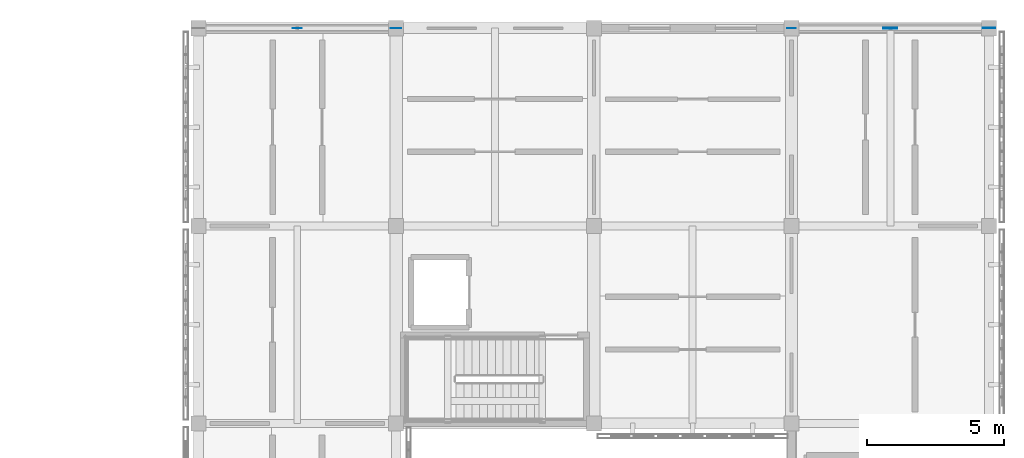
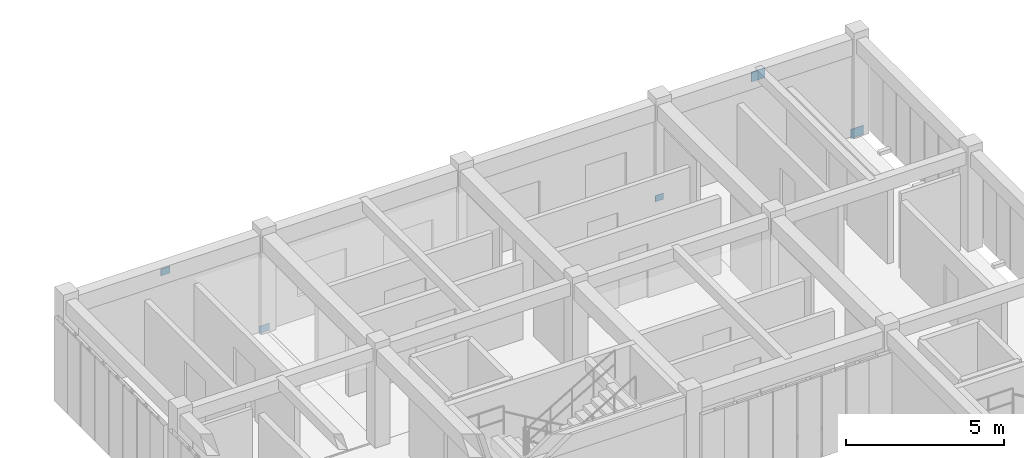
# One storey, part 51 of 67: 5 plates.
"""IFC4 building model written with IfcOpenShell, lengths in metres."""

from ifc_helpers import new_model, si_unit, direction, frame, origin, origin_2d, place, context, subcontext, project, spatial, rectangle, extrude, material, layer, layer_set, type_object, element, save


model = new_model("IFC4")

# Units and contexts
model_context = context("Model", 3, precision=1e-05, world=origin(), true_north=direction((0.0, 1.0)))
body_context = subcontext(model_context, "Body", "Model", "MODEL_VIEW")
ifc_project = project(units=[si_unit("LENGTHUNIT", "METRE"), si_unit("AREAUNIT", "SQUARE_METRE"), si_unit("VOLUMEUNIT", "CUBIC_METRE"), si_unit("PLANEANGLEUNIT", "RADIAN"), si_unit("MASSUNIT", "GRAM", prefix="KILO")], contexts=[model_context])

# Site, building, storey
site_placement = place(None, origin())
site = spatial("IfcSite", under=ifc_project, at=site_placement, CompositionType="ELEMENT")
building_placement = place(site_placement, origin())
building = spatial("IfcBuilding", under=site, at=building_placement, Name="Aldebral Square Health Centre", CompositionType="ELEMENT")
storey_placement = place(building_placement, frame((0.0, 0.0, 13.5)))
storey = spatial("IfcBuildingStorey", under=building, at=storey_placement, Name="L03", CompositionType="ELEMENT", Elevation=13.5)

# Plates
ifc_material = material(Name="Steel S355JR", Category="steel")
ifc_layer_1 = layer(ifc_material, 0.01611328125, Name="Steel S355JR", Category="steel")
ifc_layer_set_1 = layer_set([ifc_layer_1], Name="Steel S355JR")
plate_type_1 = type_object("IfcPlateType", Name="PL-GUS-2", PredefinedType="USERDEFINED", material=ifc_layer_set_1)
plate_1_placement = place(storey_placement, frame((144.0, 115.199951171875, -0.14013671875), z_axis=(0.0, 0.0, 1.0), x_axis=(1.0, 0.0, 0.0)))
element("IfcPlate", 1, at=plate_1_placement, inside=storey, type_object=plate_type_1, Name="L03 north chevron brace 20 east base gusset plate", ObjectType="GUSSET_PLATE", PredefinedType="USERDEFINED", context=body_context, shape_type="SweptSolid", body=[
    extrude(rectangle(XDim=0.3798828125, YDim=0.01611328125, at=origin_2d()), origin(), (0.0, 0.0, 1.0), 0.280029296875),
])
ifc_layer_2 = layer(ifc_material, 0.013916015625, Name="Steel S355JR", Category="steel")
ifc_layer_set_2 = layer_set([ifc_layer_2], Name="Steel S355JR")
plate_type_2 = type_object("IfcPlateType", Name="PL-GUS-3", PredefinedType="USERDEFINED", material=ifc_layer_set_2)
plate_2_placement = place(storey_placement, frame((140.39990234375, 115.199951171875, 3.3349609375), z_axis=(0.0, 0.0, 1.0), x_axis=(1.0, 0.0, 0.0)))
element("IfcPlate", 2, at=plate_2_placement, inside=storey, type_object=plate_type_2, Name="L03 north chevron brace 20 apex gusset plate", ObjectType="GUSSET_PLATE", PredefinedType="USERDEFINED", context=body_context, shape_type="SweptSolid", body=[
    extrude(rectangle(XDim=0.340087890625, YDim=0.013916015625, at=origin_2d()), origin(), (0.0, 0.0, 1.0), 0.260009765625),
])
ifc_layer_3 = layer(ifc_material, 0.013916015625, Name="Steel S355JR", Category="steel")
ifc_layer_set_3 = layer_set([ifc_layer_3], Name="Steel S355JR")
plate_type_3 = type_object("IfcPlateType", Name="PL-GUS-4", PredefinedType="USERDEFINED", material=ifc_layer_set_3)
plate_3_placement = place(storey_placement, frame((158.39990234375, 115.199951171875, -0.1201171875), z_axis=(0.0, 0.0, 1.0), x_axis=(1.0, 0.0, 0.0)))
element("IfcPlate", 3, at=plate_3_placement, inside=storey, type_object=plate_type_3, Name="L03 north chevron brace 23 west base gusset plate", ObjectType="GUSSET_PLATE", PredefinedType="USERDEFINED", context=body_context, shape_type="SweptSolid", body=[
    extrude(rectangle(XDim=0.300048828125, YDim=0.013916015625, at=origin_2d()), origin(), (0.0, 0.0, 1.0), 0.239990234375),
])
ifc_layer_4 = layer(ifc_material, 0.01806640625, Name="Steel S355JR", Category="steel")
ifc_layer_set_4 = layer_set([ifc_layer_4], Name="Steel S355JR")
plate_type_4 = type_object("IfcPlateType", Name="PL-GUS-5", PredefinedType="USERDEFINED", material=ifc_layer_set_4)
plate_4_placement = place(storey_placement, frame((165.60009765625, 115.199951171875, -0.18017578125), z_axis=(0.0, 0.0, 1.0), x_axis=(1.0, 0.0, 0.0)))
element("IfcPlate", 4, at=plate_4_placement, inside=storey, type_object=plate_type_4, Name="L03 north chevron brace 23 east base gusset plate", ObjectType="GUSSET_PLATE", PredefinedType="USERDEFINED", context=body_context, shape_type="SweptSolid", body=[
    extrude(rectangle(XDim=0.4599609375, YDim=0.01806640625, at=origin_2d()), origin(), (0.0, 0.0, 1.0), 0.360107421875),
])
ifc_layer_5 = layer(ifc_material, 0.02001953125, Name="Steel S355JR", Category="steel")
ifc_layer_set_5 = layer_set([ifc_layer_5], Name="Steel S355JR")
plate_type_5 = type_object("IfcPlateType", Name="PL-GUS-6", PredefinedType="USERDEFINED", material=ifc_layer_set_5)
plate_5_placement = place(storey_placement, frame((162.0, 115.199951171875, 3.275146484375), z_axis=(0.0, 0.0, 1.0), x_axis=(1.0, 0.0, 0.0)))
element("IfcPlate", 5, at=plate_5_placement, inside=storey, type_object=plate_type_5, Name="L03 north chevron brace 23 apex gusset plate", ObjectType="GUSSET_PLATE", PredefinedType="USERDEFINED", context=body_context, shape_type="SweptSolid", body=[
    extrude(rectangle(XDim=0.5, YDim=0.02001953125, at=origin_2d()), origin(), (0.0, 0.0, 1.0), 0.3798828125),
])

save(model, "model.ifc")
